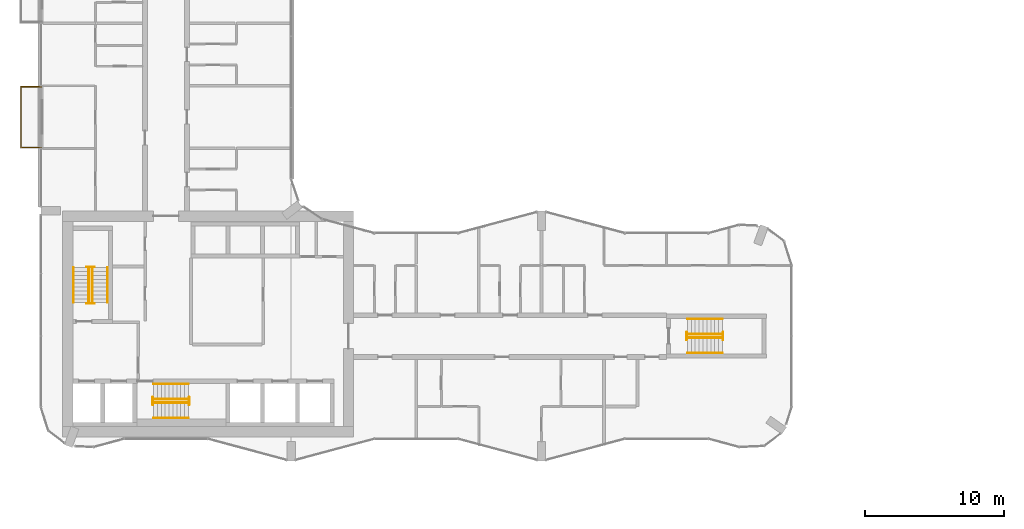
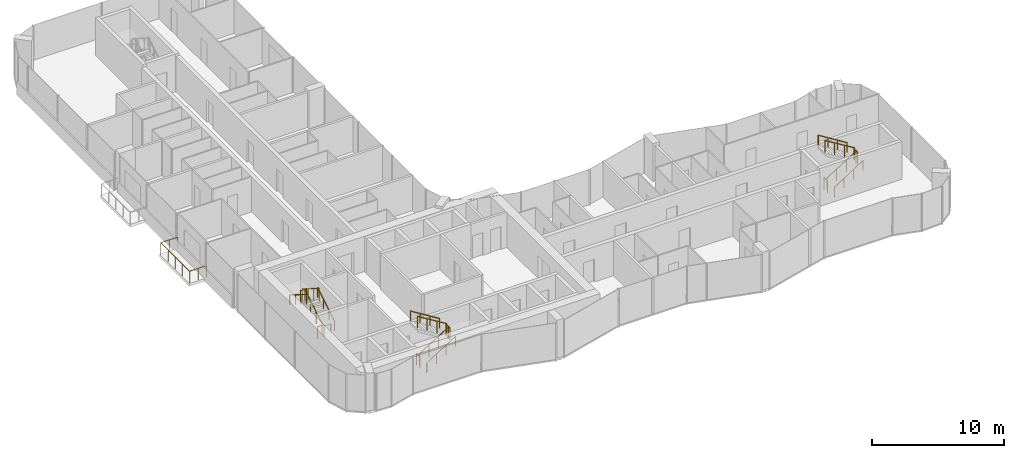
# One storey, part 22 of 24: 19 railings.
"""IFC4 building model written with IfcOpenShell, lengths in metres."""

from ifc_helpers import new_model, si_unit, direction, frame, origin, origin_2d, place, context, subcontext, project, spatial, circle, extrude, material, type_object, element, save


model = new_model("IFC4")

# Units and contexts
model_context = context("Model", 3, precision=1e-05, world=origin(), true_north=direction((0.0, 1.0)))
body_context = subcontext(model_context, "Body", "Model", "MODEL_VIEW")
ifc_project = project(units=[si_unit("LENGTHUNIT", "METRE"), si_unit("AREAUNIT", "SQUARE_METRE"), si_unit("VOLUMEUNIT", "CUBIC_METRE"), si_unit("PLANEANGLEUNIT", "RADIAN"), si_unit("MASSUNIT", "GRAM", prefix="KILO")], contexts=[model_context])

# Site, building, storey
site_placement = place(None, origin())
site = spatial("IfcSite", under=ifc_project, at=site_placement, CompositionType="ELEMENT")
building_placement = place(site_placement, origin())
building = spatial("IfcBuilding", under=site, at=building_placement, Name="Plateau Cross Towers", CompositionType="ELEMENT")
storey_placement = place(building_placement, frame((0.0, 0.0, 51.300048828125)))
storey = spatial("IfcBuildingStorey", under=building, at=storey_placement, Name="L12", CompositionType="ELEMENT", Elevation=51.300048828125)

# Railings
ifc_material_1 = material(Name="Stainless steel and toughened glass", Category="steel")
railing_type_1 = type_object("IfcRailingType", Name="Glass balustrade guard 1100", PredefinedType="GUARDRAIL", material=ifc_material_1)
railing_1_placement = place(storey_placement, frame((0.050048828125, 22.570068359375, 0.0)))
element("IfcRailing", 1, at=railing_1_placement, inside=storey, type_object=railing_type_1, Name="Guard guard1", PredefinedType="GUARDRAIL", context=body_context, shape_type="SweptSolid", body=[
    extrude(circle(Radius=0.02392578125, at=origin_2d()), frame((0.0, 0.0, 1.076171875), z_axis=(-1.0, 0.0, 0.0), x_axis=(0.0, -1.0, 0.0)), (0.0, 0.0, 1.0), 1.47998046875),
    extrude(circle(Radius=0.02392578125, at=origin_2d()), frame((-1.47998046875, 0.0, 1.076171875), z_axis=(0.0, 1.0, 0.0), x_axis=(-1.0, 0.0, 0.0)), (0.0, 0.0, 1.0), 4.35986328125),
    extrude(circle(Radius=0.02392578125, at=origin_2d()), frame((-1.47998046875, 4.35986328125, 1.076171875), z_axis=(1.0, 0.0, 0.0), x_axis=(0.0, 1.0, 0.0)), (0.0, 0.0, 1.0), 1.47998046875),
    extrude(circle(Radius=0.02099609375, at=origin_2d()), origin(), (0.0, 0.0, 1.0), 1.052001953125),
    extrude(circle(Radius=0.02099609375, at=origin_2d()), frame((-0.739990234375, 0.0, 0.0)), (0.0, 0.0, 1.0), 1.052001953125),
    extrude(circle(Radius=0.02099609375, at=origin_2d()), frame((-1.47998046875, 0.0, 0.0)), (0.0, 0.0, 1.0), 1.052001953125),
    extrude(circle(Radius=0.02099609375, at=origin_2d()), frame((-1.47998046875, 1.08984375, 0.0)), (0.0, 0.0, 1.0), 1.052001953125),
    extrude(circle(Radius=0.02099609375, at=origin_2d()), frame((-1.47998046875, 2.179931640625, 0.0)), (0.0, 0.0, 1.0), 1.052001953125),
    extrude(circle(Radius=0.02099609375, at=origin_2d()), frame((-1.47998046875, 3.27001953125, 0.0)), (0.0, 0.0, 1.0), 1.052001953125),
    extrude(circle(Radius=0.02099609375, at=origin_2d()), frame((-1.47998046875, 4.35986328125, 0.0)), (0.0, 0.0, 1.0), 1.052001953125),
    extrude(circle(Radius=0.02099609375, at=origin_2d()), frame((-0.739990234375, 4.35986328125, 0.0)), (0.0, 0.0, 1.0), 1.052001953125),
    extrude(circle(Radius=0.02099609375, at=origin_2d()), frame((0.0, 4.35986328125, 0.0)), (0.0, 0.0, 1.0), 1.052001953125),
])
railing_type_2 = type_object("IfcRailingType", Name="RL-GUARD-1100", PredefinedType="GUARDRAIL", material=ifc_material_1)
railing_2_placement = place(storey_placement, frame((3.699951171875, 11.39990234375, 0.175048828125)))
element("IfcRailing", 2, at=railing_2_placement, inside=storey, type_object=railing_type_2, Name="L12 ST-1 stair guard 1", PredefinedType="GUARDRAIL", context=body_context, shape_type="SweptSolid", body=[
    extrude(circle(Radius=0.02392578125, at=origin_2d()), frame((0.0, 0.0, 1.076171875), z_axis=(0.0, 0.848007534815, 0.529984170421), x_axis=(-1.0, 0.0, 0.0)), (0.0, 0.0, 1.0), 2.9716796875),
    extrude(circle(Radius=0.02099609375, at=origin_2d()), origin(), (0.0, 0.0, 1.0), 1.052001953125),
    extrude(circle(Radius=0.02099609375, at=origin_2d()), frame((0.0, 0.840087890625, 0.52490234375)), (0.0, 0.0, 1.0), 1.052001953125),
    extrude(circle(Radius=0.02099609375, at=origin_2d()), frame((0.0, 1.679931640625, 1.050048828125)), (0.0, 0.0, 1.0), 1.052001953125),
    extrude(circle(Radius=0.02099609375, at=origin_2d()), frame((0.0, 2.52001953125, 1.574951171875)), (0.0, 0.0, 1.0), 1.052001953125),
])
railing_3_placement = place(storey_placement, frame((3.85009765625, 13.969970703125, 1.75)))
element("IfcRailing", 3, at=railing_3_placement, inside=storey, type_object=railing_type_2, Name="L12 ST-1 stair guard 2", PredefinedType="GUARDRAIL", context=body_context, shape_type="SweptSolid", body=[
    extrude(circle(Radius=0.02392578125, at=origin_2d()), frame((0.0, 0.0, 1.076171875), z_axis=(-1.0, 0.0, 0.0), x_axis=(0.0, -1.0, 0.0)), (0.0, 0.0, 1.0), 0.550048828125),
    extrude(circle(Radius=0.02099609375, at=origin_2d()), origin(), (0.0, 0.0, 1.0), 1.052001953125),
    extrude(circle(Radius=0.02099609375, at=origin_2d()), frame((-0.550048828125, 0.0, 0.0)), (0.0, 0.0, 1.0), 1.052001953125),
])
railing_4_placement = place(storey_placement, frame((3.449951171875, 13.919921875, 1.925048828125)))
element("IfcRailing", 4, at=railing_4_placement, inside=storey, type_object=railing_type_2, Name="L12 ST-1 stair guard 3", PredefinedType="GUARDRAIL", context=body_context, shape_type="SweptSolid", body=[
    extrude(circle(Radius=0.02392578125, at=origin_2d()), frame((0.0, 0.0, 1.076171875), z_axis=(0.0, -0.852616386126, 0.522537365276), x_axis=(1.0, 0.0, 0.0)), (0.0, 0.0, 1.0), 3.01416015625),
    extrude(circle(Radius=0.02099609375, at=origin_2d()), origin(), (0.0, 0.0, 1.0), 1.052001953125),
    extrude(circle(Radius=0.02099609375, at=origin_2d()), frame((0.0, -0.856689453125, 0.52490234375)), (0.0, 0.0, 1.0), 1.052001953125),
    extrude(circle(Radius=0.02099609375, at=origin_2d()), frame((0.0, -1.713134765625, 1.050048828125)), (0.0, 0.0, 1.0), 1.052001953125),
    extrude(circle(Radius=0.02099609375, at=origin_2d()), frame((0.0, -2.56982421875, 1.574951171875)), (0.0, 0.0, 1.0), 1.052001953125),
])
railing_5_placement = place(storey_placement, frame((3.85009765625, 11.35009765625, 0.0)))
element("IfcRailing", 5, at=railing_5_placement, inside=storey, type_object=railing_type_2, Name="L12 ST-1 stair guard 4", PredefinedType="GUARDRAIL", context=body_context, shape_type="SweptSolid", body=[
    extrude(circle(Radius=0.02392578125, at=origin_2d()), frame((0.0, 0.0, 1.076171875), z_axis=(-1.0, 0.0, 0.0), x_axis=(0.0, -1.0, 0.0)), (0.0, 0.0, 1.0), 0.550048828125),
    extrude(circle(Radius=0.02099609375, at=origin_2d()), origin(), (0.0, 0.0, 1.0), 1.052001953125),
    extrude(circle(Radius=0.02099609375, at=origin_2d()), frame((-0.550048828125, 0.0, 0.0)), (0.0, 0.0, 1.0), 1.052001953125),
])
railing_6_placement = place(storey_placement, frame((8.10009765625, 4.199951171875, 0.175048828125)))
element("IfcRailing", 6, at=railing_6_placement, inside=storey, type_object=railing_type_2, Name="L12 ST-2 stair guard 1", PredefinedType="GUARDRAIL", context=body_context, shape_type="SweptSolid", body=[
    extrude(circle(Radius=0.02392578125, at=origin_2d()), frame((0.0, 0.0, 1.076171875), z_axis=(0.848007534815, 0.0, 0.529984170421), x_axis=(0.0, 1.0, 0.0)), (0.0, 0.0, 1.0), 2.9716796875),
    extrude(circle(Radius=0.02099609375, at=origin_2d()), origin(), (0.0, 0.0, 1.0), 1.052001953125),
    extrude(circle(Radius=0.02099609375, at=origin_2d()), frame((0.840087890625, 0.0, 0.52490234375)), (0.0, 0.0, 1.0), 1.052001953125),
    extrude(circle(Radius=0.02099609375, at=origin_2d()), frame((1.679931640625, 0.0, 1.050048828125)), (0.0, 0.0, 1.0), 1.052001953125),
    extrude(circle(Radius=0.02099609375, at=origin_2d()), frame((2.52001953125, 0.0, 1.574951171875)), (0.0, 0.0, 1.0), 1.052001953125),
])
railing_7_placement = place(storey_placement, frame((10.669921875, 4.050048828125, 1.75)))
element("IfcRailing", 7, at=railing_7_placement, inside=storey, type_object=railing_type_2, Name="L12 ST-2 stair guard 2", PredefinedType="GUARDRAIL", context=body_context, shape_type="SweptSolid", body=[
    extrude(circle(Radius=0.02392578125, at=origin_2d()), frame((0.0, 0.0, 1.076171875), z_axis=(0.0, 1.0, 0.0), x_axis=(-1.0, 0.0, 0.0)), (0.0, 0.0, 1.0), 0.550048828125),
    extrude(circle(Radius=0.02099609375, at=origin_2d()), origin(), (0.0, 0.0, 1.0), 1.052001953125),
    extrude(circle(Radius=0.02099609375, at=origin_2d()), frame((0.0, 0.550048828125, 0.0)), (0.0, 0.0, 1.0), 1.052001953125),
])
railing_8_placement = place(storey_placement, frame((10.6201171875, 4.449951171875, 1.925048828125)))
element("IfcRailing", 8, at=railing_8_placement, inside=storey, type_object=railing_type_2, Name="L12 ST-2 stair guard 3", PredefinedType="GUARDRAIL", context=body_context, shape_type="SweptSolid", body=[
    extrude(circle(Radius=0.02392578125, at=origin_2d()), frame((0.0, 0.0, 1.076171875), z_axis=(-0.852638500773, 0.0, 0.522501279423), x_axis=(0.0, -1.0, 0.0)), (0.0, 0.0, 1.0), 3.01416015625),
    extrude(circle(Radius=0.02099609375, at=origin_2d()), origin(), (0.0, 0.0, 1.0), 1.052001953125),
    extrude(circle(Radius=0.02099609375, at=origin_2d()), frame((-0.856689453125, 0.0, 0.52490234375)), (0.0, 0.0, 1.0), 1.052001953125),
    extrude(circle(Radius=0.02099609375, at=origin_2d()), frame((-1.71337890625, 0.0, 1.050048828125)), (0.0, 0.0, 1.0), 1.052001953125),
    extrude(circle(Radius=0.02099609375, at=origin_2d()), frame((-2.570068359375, 0.0, 1.574951171875)), (0.0, 0.0, 1.0), 1.052001953125),
])
railing_9_placement = place(storey_placement, frame((8.050048828125, 4.050048828125, 0.0)))
element("IfcRailing", 9, at=railing_9_placement, inside=storey, type_object=railing_type_2, Name="L12 ST-2 stair guard 4", PredefinedType="GUARDRAIL", context=body_context, shape_type="SweptSolid", body=[
    extrude(circle(Radius=0.02392578125, at=origin_2d()), frame((0.0, 0.0, 1.076171875), z_axis=(0.0, 1.0, 0.0), x_axis=(-1.0, 0.0, 0.0)), (0.0, 0.0, 1.0), 0.550048828125),
    extrude(circle(Radius=0.02099609375, at=origin_2d()), origin(), (0.0, 0.0, 1.0), 1.052001953125),
    extrude(circle(Radius=0.02099609375, at=origin_2d()), frame((0.0, 0.550048828125, 0.0)), (0.0, 0.0, 1.0), 1.052001953125),
])
railing_10_placement = place(storey_placement, frame((46.5, 8.875, 0.175048828125)))
element("IfcRailing", 10, at=railing_10_placement, inside=storey, type_object=railing_type_2, Name="L12 ES-E stair guard 1", PredefinedType="GUARDRAIL", context=body_context, shape_type="SweptSolid", body=[
    extrude(circle(Radius=0.02392578125, at=origin_2d()), frame((0.0, 0.0, 1.076171875), z_axis=(0.848007534815, 0.0, 0.529984170421), x_axis=(0.0, 1.0, 0.0)), (0.0, 0.0, 1.0), 2.9716796875),
    extrude(circle(Radius=0.02099609375, at=origin_2d()), origin(), (0.0, 0.0, 1.0), 1.052001953125),
    extrude(circle(Radius=0.02099609375, at=origin_2d()), frame((0.840087890625, 0.0, 0.52490234375)), (0.0, 0.0, 1.0), 1.052001953125),
    extrude(circle(Radius=0.02099609375, at=origin_2d()), frame((1.679931640625, 0.0, 1.050048828125)), (0.0, 0.0, 1.0), 1.052001953125),
    extrude(circle(Radius=0.02099609375, at=origin_2d()), frame((2.52001953125, 0.0, 1.574951171875)), (0.0, 0.0, 1.0), 1.052001953125),
])
railing_11_placement = place(storey_placement, frame((49.070068359375, 8.72509765625, 1.75)))
element("IfcRailing", 11, at=railing_11_placement, inside=storey, type_object=railing_type_2, Name="L12 ES-E stair guard 2", PredefinedType="GUARDRAIL", context=body_context, shape_type="SweptSolid", body=[
    extrude(circle(Radius=0.02392578125, at=origin_2d()), frame((0.0, 0.0, 1.076171875), z_axis=(0.0, 1.0, 0.0), x_axis=(-1.0, 0.0, 0.0)), (0.0, 0.0, 1.0), 0.5498046875),
    extrude(circle(Radius=0.02099609375, at=origin_2d()), origin(), (0.0, 0.0, 1.0), 1.052001953125),
    extrude(circle(Radius=0.02099609375, at=origin_2d()), frame((0.0, 0.5498046875, 0.0)), (0.0, 0.0, 1.0), 1.052001953125),
])
railing_12_placement = place(storey_placement, frame((49.02001953125, 9.125, 1.925048828125)))
element("IfcRailing", 12, at=railing_12_placement, inside=storey, type_object=railing_type_2, Name="L12 ES-E stair guard 3", PredefinedType="GUARDRAIL", context=body_context, shape_type="SweptSolid", body=[
    extrude(circle(Radius=0.02392578125, at=origin_2d()), frame((0.0, 0.0, 1.076171875), z_axis=(-0.852638500773, 0.0, 0.522501279423), x_axis=(0.0, -1.0, 0.0)), (0.0, 0.0, 1.0), 3.01416015625),
    extrude(circle(Radius=0.02099609375, at=origin_2d()), origin(), (0.0, 0.0, 1.0), 1.052001953125),
    extrude(circle(Radius=0.02099609375, at=origin_2d()), frame((-0.856689453125, 0.0, 0.52490234375)), (0.0, 0.0, 1.0), 1.052001953125),
    extrude(circle(Radius=0.02099609375, at=origin_2d()), frame((-1.71337890625, 0.0, 1.050048828125)), (0.0, 0.0, 1.0), 1.052001953125),
    extrude(circle(Radius=0.02099609375, at=origin_2d()), frame((-2.570068359375, 0.0, 1.574951171875)), (0.0, 0.0, 1.0), 1.052001953125),
])
railing_13_placement = place(storey_placement, frame((46.449951171875, 8.72509765625, 0.0)))
element("IfcRailing", 13, at=railing_13_placement, inside=storey, type_object=railing_type_2, Name="L12 ES-E stair guard 4", PredefinedType="GUARDRAIL", context=body_context, shape_type="SweptSolid", body=[
    extrude(circle(Radius=0.02392578125, at=origin_2d()), frame((0.0, 0.0, 1.076171875), z_axis=(0.0, 1.0, 0.0), x_axis=(-1.0, 0.0, 0.0)), (0.0, 0.0, 1.0), 0.5498046875),
    extrude(circle(Radius=0.02099609375, at=origin_2d()), origin(), (0.0, 0.0, 1.0), 1.052001953125),
    extrude(circle(Radius=0.02099609375, at=origin_2d()), frame((0.0, 0.5498046875, 0.0)), (0.0, 0.0, 1.0), 1.052001953125),
])
ifc_material_2 = material(Name="Black anodised aluminium", Category="aluminium")
railing_type_3 = type_object("IfcRailingType", Name="RL-HANDRAIL-900", PredefinedType="HANDRAIL", material=ifc_material_2)
railing_14_placement = place(storey_placement, frame((4.800048828125, 11.39990234375, 0.175048828125)))
element("IfcRailing", 14, at=railing_14_placement, inside=storey, type_object=railing_type_3, Name="L12 ST-1 stair handrail 1", PredefinedType="HANDRAIL", context=body_context, shape_type="SweptSolid", body=[
    extrude(circle(Radius=0.02392578125, at=origin_2d()), frame((0.0, 0.0, 0.8759765625), z_axis=(0.0, 0.848007534815, 0.529984170421), x_axis=(-1.0, 0.0, 0.0)), (0.0, 0.0, 1.0), 2.9716796875),
    extrude(circle(Radius=0.02099609375, at=origin_2d()), origin(), (0.0, 0.0, 1.0), 0.851806640625),
    extrude(circle(Radius=0.02099609375, at=origin_2d()), frame((0.0, 0.840087890625, 0.52490234375)), (0.0, 0.0, 1.0), 0.851806640625),
    extrude(circle(Radius=0.02099609375, at=origin_2d()), frame((0.0, 1.679931640625, 1.050048828125)), (0.0, 0.0, 1.0), 0.851806640625),
    extrude(circle(Radius=0.02099609375, at=origin_2d()), frame((0.0, 2.52001953125, 1.574951171875)), (0.0, 0.0, 1.0), 0.851806640625),
])
railing_15_placement = place(storey_placement, frame((2.35009765625, 13.919921875, 1.925048828125)))
element("IfcRailing", 15, at=railing_15_placement, inside=storey, type_object=railing_type_3, Name="L12 ST-1 stair handrail 2", PredefinedType="HANDRAIL", context=body_context, shape_type="SweptSolid", body=[
    extrude(circle(Radius=0.02392578125, at=origin_2d()), frame((0.0, 0.0, 0.8759765625), z_axis=(0.0, -0.848007534815, 0.529984170421), x_axis=(1.0, 0.0, 0.0)), (0.0, 0.0, 1.0), 2.9716796875),
    extrude(circle(Radius=0.02099609375, at=origin_2d()), origin(), (0.0, 0.0, 1.0), 0.851806640625),
    extrude(circle(Radius=0.02099609375, at=origin_2d()), frame((0.0, -0.840087890625, 0.52490234375)), (0.0, 0.0, 1.0), 0.851806640625),
    extrude(circle(Radius=0.02099609375, at=origin_2d()), frame((0.0, -1.679931640625, 1.050048828125)), (0.0, 0.0, 1.0), 0.851806640625),
    extrude(circle(Radius=0.02099609375, at=origin_2d()), frame((0.0, -2.52001953125, 1.574951171875)), (0.0, 0.0, 1.0), 0.851806640625),
])
railing_16_placement = place(storey_placement, frame((8.10009765625, 3.10009765625, 0.175048828125)))
element("IfcRailing", 16, at=railing_16_placement, inside=storey, type_object=railing_type_3, Name="L12 ST-2 stair handrail 1", PredefinedType="HANDRAIL", context=body_context, shape_type="SweptSolid", body=[
    extrude(circle(Radius=0.02392578125, at=origin_2d()), frame((0.0, 0.0, 0.8759765625), z_axis=(0.848007534815, 0.0, 0.529984170421), x_axis=(0.0, 1.0, 0.0)), (0.0, 0.0, 1.0), 2.9716796875),
    extrude(circle(Radius=0.02099609375, at=origin_2d()), origin(), (0.0, 0.0, 1.0), 0.851806640625),
    extrude(circle(Radius=0.02099609375, at=origin_2d()), frame((0.840087890625, 0.0, 0.52490234375)), (0.0, 0.0, 1.0), 0.851806640625),
    extrude(circle(Radius=0.02099609375, at=origin_2d()), frame((1.679931640625, 0.0, 1.050048828125)), (0.0, 0.0, 1.0), 0.851806640625),
    extrude(circle(Radius=0.02099609375, at=origin_2d()), frame((2.52001953125, 0.0, 1.574951171875)), (0.0, 0.0, 1.0), 0.851806640625),
])
railing_17_placement = place(storey_placement, frame((10.6201171875, 5.550048828125, 1.925048828125)))
element("IfcRailing", 17, at=railing_17_placement, inside=storey, type_object=railing_type_3, Name="L12 ST-2 stair handrail 2", PredefinedType="HANDRAIL", context=body_context, shape_type="SweptSolid", body=[
    extrude(circle(Radius=0.02392578125, at=origin_2d()), frame((0.0, 0.0, 0.8759765625), z_axis=(-0.848007534815, 0.0, 0.529984170421), x_axis=(0.0, -1.0, 0.0)), (0.0, 0.0, 1.0), 2.9716796875),
    extrude(circle(Radius=0.02099609375, at=origin_2d()), origin(), (0.0, 0.0, 1.0), 0.851806640625),
    extrude(circle(Radius=0.02099609375, at=origin_2d()), frame((-0.840087890625, 0.0, 0.52490234375)), (0.0, 0.0, 1.0), 0.851806640625),
    extrude(circle(Radius=0.02099609375, at=origin_2d()), frame((-1.679931640625, 0.0, 1.050048828125)), (0.0, 0.0, 1.0), 0.851806640625),
    extrude(circle(Radius=0.02099609375, at=origin_2d()), frame((-2.52001953125, 0.0, 1.574951171875)), (0.0, 0.0, 1.0), 0.851806640625),
])
railing_18_placement = place(storey_placement, frame((46.5, 7.77490234375, 0.175048828125)))
element("IfcRailing", 18, at=railing_18_placement, inside=storey, type_object=railing_type_3, Name="L12 ES-E stair handrail 1", PredefinedType="HANDRAIL", context=body_context, shape_type="SweptSolid", body=[
    extrude(circle(Radius=0.02392578125, at=origin_2d()), frame((0.0, 0.0, 0.8759765625), z_axis=(0.848007534815, 0.0, 0.529984170421), x_axis=(0.0, 1.0, 0.0)), (0.0, 0.0, 1.0), 2.9716796875),
    extrude(circle(Radius=0.02099609375, at=origin_2d()), origin(), (0.0, 0.0, 1.0), 0.851806640625),
    extrude(circle(Radius=0.02099609375, at=origin_2d()), frame((0.840087890625, 0.0, 0.52490234375)), (0.0, 0.0, 1.0), 0.851806640625),
    extrude(circle(Radius=0.02099609375, at=origin_2d()), frame((1.679931640625, 0.0, 1.050048828125)), (0.0, 0.0, 1.0), 0.851806640625),
    extrude(circle(Radius=0.02099609375, at=origin_2d()), frame((2.52001953125, 0.0, 1.574951171875)), (0.0, 0.0, 1.0), 0.851806640625),
])
railing_19_placement = place(storey_placement, frame((49.02001953125, 10.22509765625, 1.925048828125)))
element("IfcRailing", 19, at=railing_19_placement, inside=storey, type_object=railing_type_3, Name="L12 ES-E stair handrail 2", PredefinedType="HANDRAIL", context=body_context, shape_type="SweptSolid", body=[
    extrude(circle(Radius=0.02392578125, at=origin_2d()), frame((0.0, 0.0, 0.8759765625), z_axis=(-0.848007534815, 0.0, 0.529984170421), x_axis=(0.0, -1.0, 0.0)), (0.0, 0.0, 1.0), 2.9716796875),
    extrude(circle(Radius=0.02099609375, at=origin_2d()), origin(), (0.0, 0.0, 1.0), 0.851806640625),
    extrude(circle(Radius=0.02099609375, at=origin_2d()), frame((-0.840087890625, 0.0, 0.52490234375)), (0.0, 0.0, 1.0), 0.851806640625),
    extrude(circle(Radius=0.02099609375, at=origin_2d()), frame((-1.679931640625, 0.0, 1.050048828125)), (0.0, 0.0, 1.0), 0.851806640625),
    extrude(circle(Radius=0.02099609375, at=origin_2d()), frame((-2.52001953125, 0.0, 1.574951171875)), (0.0, 0.0, 1.0), 0.851806640625),
])

save(model, "model.ifc")
